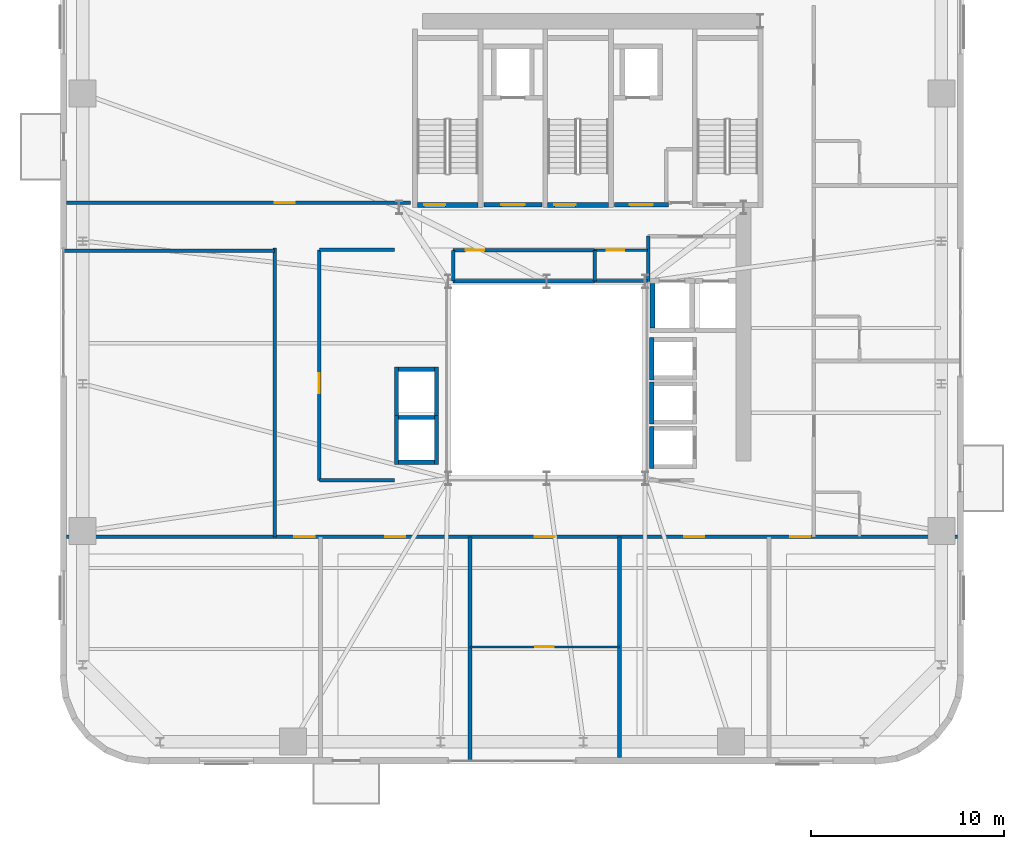
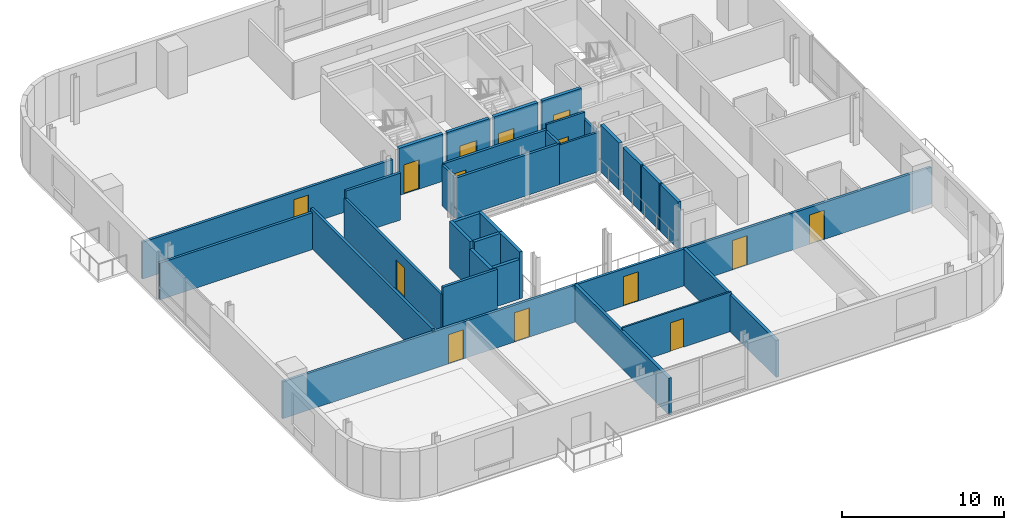
# One storey, part 8 of 16: 32 walls, 14 doors, 14 openings.
"""IFC4 building model written with IfcOpenShell, lengths in metres."""

from ifc_helpers import new_model, si_unit, direction, frame, frame_2d, origin, place, context, subcontext, project, spatial, rectangle, extrude, source, transform, mapped, material, layer, layer_set, type_object, element, fill, save


model = new_model("IFC4")

# Units and contexts
model_context = context("Model", 3, precision=1e-05, world=origin(), true_north=direction((0.0, 1.0)))
body_context = subcontext(model_context, "Body", "Model", "MODEL_VIEW")
ifc_project = project(units=[si_unit("LENGTHUNIT", "METRE"), si_unit("AREAUNIT", "SQUARE_METRE"), si_unit("VOLUMEUNIT", "CUBIC_METRE"), si_unit("PLANEANGLEUNIT", "RADIAN"), si_unit("MASSUNIT", "GRAM", prefix="KILO")], contexts=[model_context])

# Site, building, storey
site_placement = place(None, origin())
site = spatial("IfcSite", under=ifc_project, at=site_placement, CompositionType="ELEMENT")
building_placement = place(site_placement, origin())
building = spatial("IfcBuilding", under=site, at=building_placement, Name="Vardaveli Station Tower", CompositionType="ELEMENT")
storey_placement = place(building_placement, frame((0.0, 0.0, 188.550048828125)))
storey = spatial("IfcBuildingStorey", under=building, at=storey_placement, Name="L48", CompositionType="ELEMENT", Elevation=188.550048828125)

# Wall, opening, door
ifc_material_1 = material(Name="Concrete C40/50", Category="concrete")
ifc_layer_1 = layer(ifc_material_1, 0.25, Name="Concrete C40/50")
ifc_layer_set_1 = layer_set([ifc_layer_1], Name="Concrete C40/50")
wall_type_1 = type_object("IfcWallType", Name="WAL-SHAFT-250", PredefinedType="SOLIDWALL", material=ifc_layer_set_1)
shared_shape_1 = source(origin(), body_context, "Body", "SweptSolid", [
    extrude(rectangle(XDim=3.14990234375, YDim=0.25, at=frame_2d((1.574951171875, 0.0))), origin(), (0.0, 0.0, 1.0), 3.550048828125),
])
wall_1_placement = place(storey_placement, frame((29.60009765625, 30.77490234375, 0.0), z_axis=(0.0, 0.0, 1.0), x_axis=(1.0, 0.0, 0.0)))
wall_1 = element("IfcWall", 1, at=wall_1_placement, inside=storey, type_object=wall_type_1, Name="W-L48-ST-1S", PredefinedType="SOLIDWALL", context=body_context, shape_type="MappedRepresentation", body=[
    mapped(shared_shape_1, transform((0.0, 0.0, 0.0), scale=1.0)),
])
shared_shape_2 = source(origin(), body_context, "Body", "SweptSolid", [
    extrude(rectangle(XDim=1.10009765625, YDim=2.199951171875, at=frame_2d((0.550048828125, 1.10009765625))), frame((0.0, 0.135009765625, 0.0), z_axis=(0.0, -1.0, 0.0), x_axis=(1.0, 0.0, 0.0)), (0.0, 0.0, 1.0), 0.27001953125),
])
opening_1_placement = place(wall_1_placement, frame((0.35009765625, 0.0, 0.0)))
opening_1 = element("IfcOpeningElement", 2, at=opening_1_placement, cuts=wall_1, Name="Opening D-04", PredefinedType="OPENING", context=body_context, shape_type="MappedRepresentation", body=[
    mapped(shared_shape_2, transform((0.0, 0.0, 0.0), scale=1.0)),
])
ifc_material_2 = material(Name="Steel smokeproof fire doorset", Category="steel")
door_type_1 = type_object("IfcDoorType", Name="DR-ST-1100x2200", OperationType="NOTDEFINED", PredefinedType="DOOR", material=ifc_material_2)
shared_shape_3 = source(origin(), body_context, "Body", "SweptSolid", [
    extrude(rectangle(XDim=1.10009765625, YDim=2.199951171875, at=frame_2d((0.550048828125, 1.10009765625))), frame((0.0, 0.02490234375, 0.0), z_axis=(0.0, -1.0, 0.0), x_axis=(1.0, 0.0, 0.0)), (0.0, 0.0, 1.0), 0.050048828125),
])
door_1_placement = place(opening_1_placement, origin())
door_1 = element("IfcDoor", 3, at=door_1_placement, inside=storey, type_object=door_type_1, Name="DST-1-L48", OperationType="SINGLE_SWING_LEFT", OverallHeight=2.199951171875, OverallWidth=1.10009765625, PredefinedType="DOOR", context=body_context, shape_type="MappedRepresentation", body=[
    mapped(shared_shape_3, transform((0.0, 0.0, 0.0), scale=1.0)),
])
fill(opening_1, door_1)

wall_2_placement = place(storey_placement, frame((36.35009765625, 30.77490234375, 0.0), z_axis=(0.0, 0.0, 1.0), x_axis=(1.0, 0.0, 0.0)))
wall_2 = element("IfcWall", 4, at=wall_2_placement, inside=storey, type_object=wall_type_1, Name="W-L48-ST-2S", PredefinedType="SOLIDWALL", context=body_context, shape_type="MappedRepresentation", body=[
    mapped(shared_shape_1, transform((0.0, 0.0, 0.0), scale=1.0)),
])
opening_2_placement = place(wall_2_placement, frame((0.35009765625, 0.0, 0.0)))
opening_2 = element("IfcOpeningElement", 5, at=opening_2_placement, cuts=wall_2, Name="Opening D-04", PredefinedType="OPENING", context=body_context, shape_type="MappedRepresentation", body=[
    mapped(shared_shape_2, transform((0.0, 0.0, 0.0), scale=1.0)),
])
door_2_placement = place(opening_2_placement, origin())
door_2 = element("IfcDoor", 6, at=door_2_placement, inside=storey, type_object=door_type_1, Name="DST-2-L48", OperationType="SINGLE_SWING_LEFT", OverallHeight=2.199951171875, OverallWidth=1.10009765625, PredefinedType="DOOR", context=body_context, shape_type="MappedRepresentation", body=[
    mapped(shared_shape_3, transform((0.0, 0.0, 0.0), scale=1.0)),
])
fill(opening_2, door_2)

ifc_layer_2 = layer(ifc_material_1, 0.219970703125, Name="Concrete C40/50")
ifc_layer_set_2 = layer_set([ifc_layer_2], Name="Concrete C40/50")
wall_type_2 = type_object("IfcWallType", Name="WAL-FFLOBBY-220", PredefinedType="SOLIDWALL", material=ifc_layer_set_2)
shared_shape_4 = source(origin(), body_context, "Body", "SweptSolid", [
    extrude(rectangle(XDim=3.0, YDim=0.219970703125, at=frame_2d((1.5, 0.0))), origin(), (0.0, 0.0, 1.0), 3.530029296875),
])
wall_3_placement = place(storey_placement, frame((33.050048828125, 30.780029296875, 0.0), z_axis=(0.0, 0.0, 1.0), x_axis=(1.0, 0.0, 0.0)))
wall_3 = element("IfcWall", 7, at=wall_3_placement, inside=storey, type_object=wall_type_2, Name="W-L48-FFL1S", PredefinedType="SOLIDWALL", context=body_context, shape_type="MappedRepresentation", body=[
    mapped(shared_shape_4, transform((0.0, 0.0, 0.0), scale=1.0)),
])
shared_shape_5 = source(origin(), body_context, "Body", "SweptSolid", [
    extrude(rectangle(XDim=1.199951171875, YDim=2.199951171875, at=frame_2d((0.60009765625, 1.10009765625))), frame((0.0, 0.1201171875, 0.0), z_axis=(0.0, -1.0, 0.0), x_axis=(1.0, 0.0, 0.0)), (0.0, 0.0, 1.0), 0.239990234375),
])
opening_3_placement = place(wall_3_placement, frame((0.89990234375, 0.0, 0.0)))
opening_3 = element("IfcOpeningElement", 8, at=opening_3_placement, cuts=wall_3, Name="Opening D-03", PredefinedType="OPENING", context=body_context, shape_type="MappedRepresentation", body=[
    mapped(shared_shape_5, transform((0.0, 0.0, 0.0), scale=1.0)),
])
door_type_2 = type_object("IfcDoorType", Name="DR-FFL-1200x2200", OperationType="NOTDEFINED", PredefinedType="DOOR", material=ifc_material_2)
shared_shape_6 = source(origin(), body_context, "Body", "SweptSolid", [
    extrude(rectangle(XDim=1.199951171875, YDim=2.199951171875, at=frame_2d((0.60009765625, 1.10009765625))), frame((0.0, 0.02490234375, 0.0), z_axis=(0.0, -1.0, 0.0), x_axis=(1.0, 0.0, 0.0)), (0.0, 0.0, 1.0), 0.050048828125),
])
door_3_placement = place(opening_3_placement, origin())
door_3 = element("IfcDoor", 9, at=door_3_placement, inside=storey, type_object=door_type_2, Name="DFFL1-L48", OperationType="SINGLE_SWING_LEFT", OverallHeight=2.199951171875, OverallWidth=1.199951171875, PredefinedType="DOOR", context=body_context, shape_type="MappedRepresentation", body=[
    mapped(shared_shape_6, transform((0.0, 0.0, 0.0), scale=1.0)),
])
fill(opening_3, door_3)

shared_shape_7 = source(origin(), body_context, "Body", "SweptSolid", [
    extrude(rectangle(XDim=2.800048828125, YDim=0.219970703125, at=frame_2d((1.39990234375, 0.0))), origin(), (0.0, 0.0, 1.0), 3.530029296875),
])
wall_4_placement = place(storey_placement, frame((39.800048828125, 30.780029296875, 0.0), z_axis=(0.0, 0.0, 1.0), x_axis=(1.0, 0.0, 0.0)))
wall_4 = element("IfcWall", 10, at=wall_4_placement, inside=storey, type_object=wall_type_2, Name="W-L48-FFL2S", PredefinedType="SOLIDWALL", context=body_context, shape_type="MappedRepresentation", body=[
    mapped(shared_shape_7, transform((0.0, 0.0, 0.0), scale=1.0)),
])
opening_4_placement = place(wall_4_placement, frame((0.800048828125, 0.0, 0.0)))
opening_4 = element("IfcOpeningElement", 11, at=opening_4_placement, cuts=wall_4, Name="Opening D-03", PredefinedType="OPENING", context=body_context, shape_type="MappedRepresentation", body=[
    mapped(shared_shape_5, transform((0.0, 0.0, 0.0), scale=1.0)),
])
door_4_placement = place(opening_4_placement, origin())
door_4 = element("IfcDoor", 12, at=door_4_placement, inside=storey, type_object=door_type_2, Name="DFFL2-L48", OperationType="SINGLE_SWING_RIGHT", OverallHeight=2.199951171875, OverallWidth=1.199951171875, PredefinedType="DOOR", context=body_context, shape_type="MappedRepresentation", body=[
    mapped(shared_shape_6, transform((0.0, 0.0, 0.0), scale=1.0)),
])
fill(opening_4, door_4)

# Walls
shared_shape_8 = source(origin(), body_context, "Body", "SweptSolid", [
    extrude(rectangle(XDim=2.18994140625, YDim=0.219970703125, at=frame_2d((1.094970703125, 0.0))), origin(), (0.0, 0.0, 1.0), 3.530029296875),
])
for number, where, z_axis, x_axis, name in (
    (13, (41.739990234375, 21.705078125, 0.0), (0.0, 0.0, 1.0), (0.0, 1.0, 0.0), "SHW-HL3-01-L48-W"),
    (14, (41.739990234375, 19.405029296875, 0.0), (0.0, 0.0, 1.0), (0.0, 1.0, 0.0), "SHW-HL3-02-L48-W"),
    (15, (41.739990234375, 17.10498046875, 0.0), (0.0, 0.0, 1.0), (0.0, 1.0, 0.0), "SHW-HL3-03-L48-W"),
):
    element("IfcWall", number, at=place(storey_placement, frame(where, z_axis=z_axis, x_axis=x_axis)), inside=storey, type_object=wall_type_2, Name=name, PredefinedType="SOLIDWALL", context=body_context, shape_type="MappedRepresentation", body=[
        mapped(shared_shape_8, transform((0.0, 0.0, 0.0), scale=1.0)),
    ])
shared_shape_9 = source(origin(), body_context, "Body", "SweptSolid", [
    extrude(rectangle(XDim=1.85009765625, YDim=0.219970703125, at=frame_2d((0.925048828125, 0.0))), origin(), (0.0, 0.0, 1.0), 2.971923828125),
])
wall_5_placement = place(storey_placement, frame((28.625, 17.43994140625, 0.0), z_axis=(0.0, 0.0, 1.0), x_axis=(1.0, 0.0, 0.0)))
element("IfcWall", 16, at=wall_5_placement, inside=storey, type_object=wall_type_2, Name="SHW-OBS-01-L48-S", PredefinedType="SOLIDWALL", context=body_context, shape_type="MappedRepresentation", body=[
    mapped(shared_shape_9, transform((0.0, 0.0, 0.0), scale=1.0)),
])
shared_shape_10 = source(origin(), body_context, "Body", "SweptSolid", [
    extrude(rectangle(XDim=1.85009765625, YDim=0.219970703125, at=frame_2d((0.925048828125, 0.0))), origin(), (0.0, 0.0, 1.0), 3.530029296875),
])
for number, where, z_axis, x_axis, name in (
    (17, (28.625, 19.760009765625, 0.0), (0.0, 0.0, 1.0), (1.0, 0.0, 0.0), "SHW-OBS-01-L48-N"),
    (18, (28.625, 22.260009765625, 0.0), (0.0, 0.0, 1.0), (1.0, 0.0, 0.0), "SHW-OBS-02-L48-N"),
):
    element("IfcWall", number, at=place(storey_placement, frame(where, z_axis=z_axis, x_axis=x_axis)), inside=storey, type_object=wall_type_2, Name=name, PredefinedType="SOLIDWALL", context=body_context, shape_type="MappedRepresentation", body=[
        mapped(shared_shape_10, transform((0.0, 0.0, 0.0), scale=1.0)),
    ])
shared_shape_11 = source(origin(), body_context, "Body", "SweptSolid", [
    extrude(rectangle(XDim=2.5400390625, YDim=0.219970703125, at=frame_2d((1.27001953125, 0.0))), origin(), (0.0, 0.0, 1.0), 2.971923828125),
])
wall_6_placement = place(storey_placement, frame((28.514892578125, 17.330078125, 0.0), z_axis=(0.0, 0.0, 1.0), x_axis=(0.0, 1.0, 0.0)))
element("IfcWall", 19, at=wall_6_placement, inside=storey, type_object=wall_type_2, Name="SHW-OBS-01-L48-W", PredefinedType="SOLIDWALL", context=body_context, shape_type="MappedRepresentation", body=[
    mapped(shared_shape_11, transform((0.0, 0.0, 0.0), scale=1.0)),
])
shared_shape_12 = source(origin(), body_context, "Body", "SweptSolid", [
    extrude(rectangle(XDim=2.5400390625, YDim=0.219970703125, at=frame_2d((1.27001953125, 0.0))), origin(), (0.0, 0.0, 1.0), 3.530029296875),
])
for number, where, z_axis, x_axis, name in (
    (20, (30.5849609375, 17.330078125, 0.0), (0.0, 0.0, 1.0), (0.0, 1.0, 0.0), "SHW-OBS-01-L48-E"),
    (21, (28.514892578125, 19.830078125, 0.0), (0.0, 0.0, 1.0), (0.0, 1.0, 0.0), "SHW-OBS-02-L48-W"),
    (22, (30.5849609375, 19.830078125, 0.0), (0.0, 0.0, 1.0), (0.0, 1.0, 0.0), "SHW-OBS-02-L48-E"),
):
    element("IfcWall", number, at=place(storey_placement, frame(where, z_axis=z_axis, x_axis=x_axis)), inside=storey, type_object=wall_type_2, Name=name, PredefinedType="SOLIDWALL", context=body_context, shape_type="MappedRepresentation", body=[
        mapped(shared_shape_12, transform((0.0, 0.0, 0.0), scale=1.0)),
    ])
shared_shape_13 = source(origin(), body_context, "Body", "SweptSolid", [
    extrude(rectangle(XDim=2.300048828125, YDim=0.25, at=frame_2d((1.14990234375, 0.0))), origin(), (0.0, 0.0, 1.0), 3.530029296875),
])
wall_7_placement = place(storey_placement, frame((41.77490234375, 24.39990234375, 0.0), z_axis=(0.0, 0.0, 1.0), x_axis=(0.0, 1.0, 0.0)))
element("IfcWall", 23, at=wall_7_placement, inside=storey, type_object=wall_type_1, Name="SHW-SRV-01-L48-W", PredefinedType="SOLIDWALL", context=body_context, shape_type="MappedRepresentation", body=[
    mapped(shared_shape_13, transform((0.0, 0.0, 0.0), scale=1.0)),
])

# Wall, openings, doors
ifc_material_3 = material(Name="Fire-rated gypsum stud partition")
ifc_layer_3 = layer(ifc_material_3, 0.179931640625, Name="Fire-rated gypsum stud partition")
ifc_layer_set_3 = layer_set([ifc_layer_3], Name="Fire-rated gypsum stud partition")
wall_type_3 = type_object("IfcWallType", Name="WAL-CORR-180", PredefinedType="PARTITIONING", material=ifc_layer_set_3)
shared_shape_14 = source(origin(), body_context, "Body", "SweptSolid", [
    extrude(rectangle(XDim=46.15576171875, YDim=0.179931640625, at=frame_2d((23.077880859375, 0.0))), origin(), (0.0, 0.0, 1.0), 2.77197265625),
])
wall_8_placement = place(storey_placement, frame((11.422119140625, 13.570068359375, 0.0), z_axis=(0.0, 0.0, 1.0), x_axis=(1.0, 0.0, 0.0)))
wall_8 = element("IfcWall", 24, at=wall_8_placement, inside=storey, type_object=wall_type_3, Name="W-L48-CS", PredefinedType="PARTITIONING", context=body_context, shape_type="MappedRepresentation", body=[
    mapped(shared_shape_14, transform((0.0, 0.0, 0.0), scale=1.0)),
])
shared_shape_15 = source(origin(), body_context, "Body", "SweptSolid", [
    extrude(rectangle(XDim=1.050048828125, YDim=2.199951171875, at=frame_2d((0.52490234375, 1.10009765625))), frame((0.0, 0.10009765625, 0.0), z_axis=(0.0, -1.0, 0.0), x_axis=(1.0, 0.0, 0.0)), (0.0, 0.0, 1.0), 0.199951171875),
])
opening_5_placement = place(wall_8_placement, frame((11.798095703125, 0.0, 0.0)))
opening_5 = element("IfcOpeningElement", 25, at=opening_5_placement, cuts=wall_8, Name="Opening D-05", PredefinedType="OPENING", context=body_context, shape_type="MappedRepresentation", body=[
    mapped(shared_shape_15, transform((0.0, 0.0, 0.0), scale=1.0)),
])
opening_6_placement = place(wall_8_placement, frame((16.5029296875, 0.0, 0.0)))
opening_6 = element("IfcOpeningElement", 26, at=opening_6_placement, cuts=wall_8, Name="Opening D-05", PredefinedType="OPENING", context=body_context, shape_type="MappedRepresentation", body=[
    mapped(shared_shape_15, transform((0.0, 0.0, 0.0), scale=1.0)),
])
opening_7_placement = place(wall_8_placement, frame((24.2529296875, 0.0, 0.0)))
opening_7 = element("IfcOpeningElement", 27, at=opening_7_placement, cuts=wall_8, Name="Opening D-05", PredefinedType="OPENING", context=body_context, shape_type="MappedRepresentation", body=[
    mapped(shared_shape_15, transform((0.0, 0.0, 0.0), scale=1.0)),
])
opening_8_placement = place(wall_8_placement, frame((32.0029296875, 0.0, 0.0)))
opening_8 = element("IfcOpeningElement", 28, at=opening_8_placement, cuts=wall_8, Name="Opening D-05", PredefinedType="OPENING", context=body_context, shape_type="MappedRepresentation", body=[
    mapped(shared_shape_15, transform((0.0, 0.0, 0.0), scale=1.0)),
])
opening_9_placement = place(wall_8_placement, frame((37.498046875, 0.0, 0.0)))
opening_9 = element("IfcOpeningElement", 29, at=opening_9_placement, cuts=wall_8, Name="Opening D-05", PredefinedType="OPENING", context=body_context, shape_type="MappedRepresentation", body=[
    mapped(shared_shape_15, transform((0.0, 0.0, 0.0), scale=1.0)),
])
ifc_material_4 = material(Name="Walnut veneer acoustic fire door")
door_type_3 = type_object("IfcDoorType", Name="DR-SUITE-1050x2200", OperationType="NOTDEFINED", PredefinedType="DOOR", material=ifc_material_4)
shared_shape_16 = source(origin(), body_context, "Body", "SweptSolid", [
    extrude(rectangle(XDim=1.050048828125, YDim=2.199951171875, at=frame_2d((0.52490234375, 1.10009765625))), frame((0.0, 0.02490234375, 0.0), z_axis=(0.0, -1.0, 0.0), x_axis=(1.0, 0.0, 0.0)), (0.0, 0.0, 1.0), 0.050048828125),
])
door_5_placement = place(opening_5_placement, origin())
door_5 = element("IfcDoor", 30, at=door_5_placement, inside=storey, type_object=door_type_3, Name="D-L48-SA1", OperationType="SINGLE_SWING_RIGHT", OverallHeight=2.199951171875, OverallWidth=1.050048828125, PredefinedType="DOOR", context=body_context, shape_type="MappedRepresentation", body=[
    mapped(shared_shape_16, transform((0.0, 0.0, 0.0), scale=1.0)),
])
fill(opening_5, door_5)
door_6_placement = place(opening_6_placement, origin())
door_6 = element("IfcDoor", 31, at=door_6_placement, inside=storey, type_object=door_type_3, Name="D-L48-SA2", OperationType="SINGLE_SWING_LEFT", OverallHeight=2.199951171875, OverallWidth=1.050048828125, PredefinedType="DOOR", context=body_context, shape_type="MappedRepresentation", body=[
    mapped(shared_shape_16, transform((0.0, 0.0, 0.0), scale=1.0)),
])
fill(opening_6, door_6)
door_7_placement = place(opening_7_placement, origin())
door_7 = element("IfcDoor", 32, at=door_7_placement, inside=storey, type_object=door_type_3, Name="D-L48-SCB3", OperationType="SINGLE_SWING_RIGHT", OverallHeight=2.199951171875, OverallWidth=1.050048828125, PredefinedType="DOOR", context=body_context, shape_type="MappedRepresentation", body=[
    mapped(shared_shape_16, transform((0.0, 0.0, 0.0), scale=1.0)),
])
fill(opening_7, door_7)
door_8_placement = place(opening_8_placement, origin())
door_8 = element("IfcDoor", 33, at=door_8_placement, inside=storey, type_object=door_type_3, Name="D-L48-SA4", OperationType="SINGLE_SWING_LEFT", OverallHeight=2.199951171875, OverallWidth=1.050048828125, PredefinedType="DOOR", context=body_context, shape_type="MappedRepresentation", body=[
    mapped(shared_shape_16, transform((0.0, 0.0, 0.0), scale=1.0)),
])
fill(opening_8, door_8)
door_9_placement = place(opening_9_placement, origin())
door_9 = element("IfcDoor", 34, at=door_9_placement, inside=storey, type_object=door_type_3, Name="D-L48-SA5", OperationType="SINGLE_SWING_RIGHT", OverallHeight=2.199951171875, OverallWidth=1.050048828125, PredefinedType="DOOR", context=body_context, shape_type="MappedRepresentation", body=[
    mapped(shared_shape_16, transform((0.0, 0.0, 0.0), scale=1.0)),
])
fill(opening_9, door_9)

# Wall, opening, door
shared_shape_17 = source(origin(), body_context, "Body", "SweptSolid", [
    extrude(rectangle(XDim=17.827880859375, YDim=0.179931640625, at=frame_2d((8.9140625, 0.0))), origin(), (0.0, 0.0, 1.0), 2.77197265625),
])
wall_9_placement = place(storey_placement, frame((11.422119140625, 30.8798828125, 0.0), z_axis=(0.0, 0.0, 1.0), x_axis=(1.0, 0.0, 0.0)))
wall_9 = element("IfcWall", 35, at=wall_9_placement, inside=storey, type_object=wall_type_3, Name="W-L48-CNWS", PredefinedType="PARTITIONING", context=body_context, shape_type="MappedRepresentation", body=[
    mapped(shared_shape_17, transform((0.0, 0.0, 0.0), scale=1.0)),
])
opening_10_placement = place(wall_9_placement, frame((10.778076171875, 0.0, 0.0)))
opening_10 = element("IfcOpeningElement", 36, at=opening_10_placement, cuts=wall_9, Name="Opening D-05", PredefinedType="OPENING", context=body_context, shape_type="MappedRepresentation", body=[
    mapped(shared_shape_15, transform((0.0, 0.0, 0.0), scale=1.0)),
])
door_10_placement = place(opening_10_placement, origin())
door_10 = element("IfcDoor", 37, at=door_10_placement, inside=storey, type_object=door_type_3, Name="D-L48-GNW1", OperationType="SINGLE_SWING_LEFT", OverallHeight=2.199951171875, OverallWidth=1.050048828125, PredefinedType="DOOR", context=body_context, shape_type="MappedRepresentation", body=[
    mapped(shared_shape_16, transform((0.0, 0.0, 0.0), scale=1.0)),
])
fill(opening_10, door_10)

# Walls
shared_shape_18 = source(origin(), body_context, "Body", "SweptSolid", [
    extrude(rectangle(XDim=2.349853515625, YDim=0.179931640625, at=frame_2d((1.1748046875, 0.0))), origin(), (0.0, 0.0, 1.0), 2.971923828125),
])
wall_10_placement = place(storey_placement, frame((41.550048828125, 26.800048828125, 0.0), z_axis=(0.0, 0.0, 1.0), x_axis=(0.0, 1.0, 0.0)))
element("IfcWall", 38, at=wall_10_placement, inside=storey, type_object=wall_type_3, Name="W-L48-SVFW", PredefinedType="PARTITIONING", context=body_context, shape_type="MappedRepresentation", body=[
    mapped(shared_shape_18, transform((0.0, 0.0, 0.0), scale=1.0)),
])
shared_shape_19 = source(origin(), body_context, "Body", "SweptSolid", [
    extrude(rectangle(XDim=1.599853515625, YDim=0.179931640625, at=frame_2d((0.7998046875, 0.0))), origin(), (0.0, 0.0, 1.0), 3.072021484375),
])
for number, where, z_axis, x_axis, name in (
    (39, (31.449951171875, 26.820068359375, 0.0), (0.0, 0.0, 1.0), (0.0, 1.0, 0.0), "W-L48-HKP0-W"),
    (40, (38.780029296875, 26.820068359375, 0.0), (0.0, 0.0, 1.0), (0.0, 1.0, 0.0), "W-L48-HKP0-E"),
):
    element("IfcWall", number, at=place(storey_placement, frame(where, z_axis=z_axis, x_axis=x_axis)), inside=storey, type_object=wall_type_3, Name=name, PredefinedType="PARTITIONING", context=body_context, shape_type="MappedRepresentation", body=[
        mapped(shared_shape_19, transform((0.0, 0.0, 0.0), scale=1.0)),
    ])

# Wall, opening, door
shared_shape_20 = source(origin(), body_context, "Body", "SweptSolid", [
    extrude(rectangle(XDim=11.93994140625, YDim=0.179931640625, at=frame_2d((5.969970703125, 0.0))), origin(), (0.0, 0.0, 1.0), 2.971923828125),
])
wall_11_placement = place(storey_placement, frame((24.52001953125, 16.5, 0.0), z_axis=(0.0, 0.0, 1.0), x_axis=(0.0, 1.0, 0.0)))
wall_11 = element("IfcWall", 41, at=wall_11_placement, inside=storey, type_object=wall_type_3, Name="W-L48-ATW-W", PredefinedType="PARTITIONING", context=body_context, shape_type="MappedRepresentation", body=[
    mapped(shared_shape_20, transform((0.0, 0.0, 0.0), scale=1.0)),
])
opening_11_placement = place(wall_11_placement, frame((4.5, 0.0, 0.0)))
opening_11 = element("IfcOpeningElement", 42, at=opening_11_placement, cuts=wall_11, Name="Opening D-05", PredefinedType="OPENING", context=body_context, shape_type="MappedRepresentation", body=[
    mapped(shared_shape_15, transform((0.0, 0.0, 0.0), scale=1.0)),
])
door_11_placement = place(opening_11_placement, origin())
door_11 = element("IfcDoor", 43, at=door_11_placement, inside=storey, type_object=door_type_3, Name="D-L48-ATW1", OperationType="SINGLE_SWING_RIGHT", OverallHeight=2.199951171875, OverallWidth=1.050048828125, PredefinedType="DOOR", context=body_context, shape_type="MappedRepresentation", body=[
    mapped(shared_shape_16, transform((0.0, 0.0, 0.0), scale=1.0)),
])
fill(opening_11, door_11)

ifc_material_5 = material(Name="Gypsum board stud partition")
ifc_layer_4 = layer(ifc_material_5, 0.125, Name="Gypsum board stud partition")
ifc_layer_set_4 = layer_set([ifc_layer_4], Name="Gypsum board stud partition")
wall_type_4 = type_object("IfcWallType", Name="WAL-INT-125", PredefinedType="PARTITIONING", material=ifc_layer_set_4)
shared_shape_21 = source(origin(), body_context, "Body", "SweptSolid", [
    extrude(rectangle(XDim=7.75, YDim=0.125, at=frame_2d((3.875, 0.0))), origin(), (0.0, 0.0, 1.0), 2.971923828125),
])
wall_12_placement = place(storey_placement, frame((32.320068359375, 7.860107421875, 0.0), z_axis=(0.0, 0.0, 1.0), x_axis=(1.0, 0.0, 0.0)))
wall_12 = element("IfcWall", 44, at=wall_12_placement, inside=storey, type_object=wall_type_4, Name="W-L48-SCM3", PredefinedType="PARTITIONING", context=body_context, shape_type="MappedRepresentation", body=[
    mapped(shared_shape_21, transform((0.0, 0.0, 0.0), scale=1.0)),
])
shared_shape_22 = source(origin(), body_context, "Body", "SweptSolid", [
    extrude(rectangle(XDim=0.949951171875, YDim=2.14990234375, at=frame_2d((0.47509765625, 1.074951171875))), frame((0.0, 0.072509765625, 0.0), z_axis=(0.0, -1.0, 0.0), x_axis=(1.0, 0.0, 0.0)), (0.0, 0.0, 1.0), 0.14501953125),
])
opening_12_placement = place(wall_12_placement, frame((3.39501953125, 0.0, 0.0)))
opening_12 = element("IfcOpeningElement", 45, at=opening_12_placement, cuts=wall_12, Name="Opening D-11", PredefinedType="OPENING", context=body_context, shape_type="MappedRepresentation", body=[
    mapped(shared_shape_22, transform((0.0, 0.0, 0.0), scale=1.0)),
])
ifc_material_6 = material(Name="Oak veneer internal suite door")
door_type_4 = type_object("IfcDoorType", Name="DR-INT-950x2150", OperationType="NOTDEFINED", PredefinedType="DOOR", material=ifc_material_6)
shared_shape_23 = source(origin(), body_context, "Body", "SweptSolid", [
    extrude(rectangle(XDim=0.949951171875, YDim=2.14990234375, at=frame_2d((0.47509765625, 1.074951171875))), frame((0.0, 0.02490234375, 0.0), z_axis=(0.0, -1.0, 0.0), x_axis=(1.0, 0.0, 0.0)), (0.0, 0.0, 1.0), 0.050048828125),
])
door_12_placement = place(opening_12_placement, origin())
door_12 = element("IfcDoor", 46, at=door_12_placement, inside=storey, type_object=door_type_4, Name="D-L48-SCF3", OperationType="SINGLE_SWING_LEFT", OverallHeight=2.14990234375, OverallWidth=0.949951171875, PredefinedType="DOOR", context=body_context, shape_type="MappedRepresentation", body=[
    mapped(shared_shape_23, transform((0.0, 0.0, 0.0), scale=1.0)),
])
fill(opening_12, door_12)

shared_shape_24 = source(origin(), body_context, "Body", "SweptSolid", [
    extrude(rectangle(XDim=7.330078125, YDim=0.179931640625, at=frame_2d((3.6650390625, 0.0))), origin(), (0.0, 0.0, 1.0), 3.161865234375),
])
wall_13_placement = place(storey_placement, frame((31.449951171875, 28.419921875, 0.0), z_axis=(0.0, 0.0, 1.0), x_axis=(1.0, 0.0, 0.0)))
wall_13 = element("IfcWall", 47, at=wall_13_placement, inside=storey, type_object=wall_type_3, Name="W-L48-HKP0-N", PredefinedType="PARTITIONING", context=body_context, shape_type="MappedRepresentation", body=[
    mapped(shared_shape_24, transform((0.0, 0.0, 0.0), scale=1.0)),
])
shared_shape_25 = source(origin(), body_context, "Body", "SweptSolid", [
    extrude(rectangle(XDim=0.949951171875, YDim=2.14990234375, at=frame_2d((0.47509765625, 1.074951171875))), frame((0.0, 0.10009765625, 0.0), z_axis=(0.0, -1.0, 0.0), x_axis=(1.0, 0.0, 0.0)), (0.0, 0.0, 1.0), 0.199951171875),
])
opening_13_placement = place(wall_13_placement, frame((0.64990234375, 0.0, 0.0)))
opening_13 = element("IfcOpeningElement", 48, at=opening_13_placement, cuts=wall_13, Name="Opening D-06", PredefinedType="OPENING", context=body_context, shape_type="MappedRepresentation", body=[
    mapped(shared_shape_25, transform((0.0, 0.0, 0.0), scale=1.0)),
])
ifc_material_7 = material(Name="Oak veneer acoustic fire door")
door_type_5 = type_object("IfcDoorType", Name="DR-GUEST-950x2150", OperationType="NOTDEFINED", PredefinedType="DOOR", material=ifc_material_7)
door_13_placement = place(opening_13_placement, origin())
door_13 = element("IfcDoor", 49, at=door_13_placement, inside=storey, type_object=door_type_5, Name="D-L48-HKP", OperationType="SINGLE_SWING_RIGHT", OverallHeight=2.14990234375, OverallWidth=0.949951171875, PredefinedType="DOOR", context=body_context, shape_type="MappedRepresentation", body=[
    mapped(shared_shape_23, transform((0.0, 0.0, 0.0), scale=1.0)),
])
fill(opening_13, door_13)

ifc_material_8 = material(Name="Moisture-resistant stud partition")
ifc_layer_5 = layer(ifc_material_8, 0.14990234375, Name="Moisture-resistant stud partition")
ifc_layer_set_5 = layer_set([ifc_layer_5], Name="Moisture-resistant stud partition")
wall_type_5 = type_object("IfcWallType", Name="WAL-WET-150", PredefinedType="PARTITIONING", material=ifc_layer_set_5)
shared_shape_26 = source(origin(), body_context, "Body", "SweptSolid", [
    extrude(rectangle(XDim=2.739990234375, YDim=0.14990234375, at=frame_2d((1.3701171875, 0.0))), origin(), (0.0, 0.0, 1.0), 3.530029296875),
])
wall_14_placement = place(storey_placement, frame((38.780029296875, 28.419921875, 0.0), z_axis=(0.0, 0.0, 1.0), x_axis=(1.0, 0.0, 0.0)))
wall_14 = element("IfcWall", 50, at=wall_14_placement, inside=storey, type_object=wall_type_5, Name="W-L48-WCA0-N", PredefinedType="PARTITIONING", context=body_context, shape_type="MappedRepresentation", body=[
    mapped(shared_shape_26, transform((0.0, 0.0, 0.0), scale=1.0)),
])
shared_shape_27 = source(origin(), body_context, "Body", "SweptSolid", [
    extrude(rectangle(XDim=0.919921875, YDim=2.10009765625, at=frame_2d((0.4599609375, 1.050048828125))), frame((0.0, 0.0849609375, 0.0), z_axis=(0.0, -1.0, 0.0), x_axis=(1.0, 0.0, 0.0)), (0.0, 0.0, 1.0), 0.169921875),
])
opening_14_placement = place(wall_14_placement, frame((0.6298828125, 0.0, 0.0)))
opening_14 = element("IfcOpeningElement", 51, at=opening_14_placement, cuts=wall_14, Name="Opening D-07", PredefinedType="OPENING", context=body_context, shape_type="MappedRepresentation", body=[
    mapped(shared_shape_27, transform((0.0, 0.0, 0.0), scale=1.0)),
])
ifc_material_9 = material(Name="Moisture-resistant hardwood door", Category="wood")
door_type_6 = type_object("IfcDoorType", Name="DR-WC-920x2100", OperationType="NOTDEFINED", PredefinedType="DOOR", material=ifc_material_9)
shared_shape_28 = source(origin(), body_context, "Body", "SweptSolid", [
    extrude(rectangle(XDim=0.919921875, YDim=2.10009765625, at=frame_2d((0.4599609375, 1.050048828125))), frame((0.0, 0.02490234375, 0.0), z_axis=(0.0, -1.0, 0.0), x_axis=(1.0, 0.0, 0.0)), (0.0, 0.0, 1.0), 0.050048828125),
])
door_14_placement = place(opening_14_placement, origin())
door_14 = element("IfcDoor", 52, at=door_14_placement, inside=storey, type_object=door_type_6, Name="D-L48-WCA", OperationType="SINGLE_SWING_RIGHT", OverallHeight=2.10009765625, OverallWidth=0.919921875, PredefinedType="DOOR", context=body_context, shape_type="MappedRepresentation", body=[
    mapped(shared_shape_28, transform((0.0, 0.0, 0.0), scale=1.0)),
])
fill(opening_14, door_14)

# Walls
shared_shape_29 = source(origin(), body_context, "Body", "SweptSolid", [
    extrude(rectangle(XDim=14.97998046875, YDim=0.179931640625, at=frame_2d((7.489990234375, 0.0))), origin(), (0.0, 0.0, 1.0), 2.971923828125),
])
wall_15_placement = place(storey_placement, frame((22.199951171875, 13.570068359375, 0.0), z_axis=(0.0, 0.0, 1.0), x_axis=(0.0, 1.0, 0.0)))
element("IfcWall", 53, at=wall_15_placement, inside=storey, type_object=wall_type_3, Name="W-L48-CW", PredefinedType="PARTITIONING", context=body_context, shape_type="MappedRepresentation", body=[
    mapped(shared_shape_29, transform((0.0, 0.0, 0.0), scale=1.0)),
])
ifc_material_10 = material(Name="Acoustic twin-stud gypsum partition")
ifc_layer_6 = layer(ifc_material_10, 0.199951171875, Name="Acoustic twin-stud gypsum partition")
ifc_layer_set_6 = layer_set([ifc_layer_6], Name="Acoustic twin-stud gypsum partition")
wall_type_6 = type_object("IfcWallType", Name="WAL-PARTY-200", PredefinedType="PARTITIONING", material=ifc_layer_set_6)
shared_shape_30 = source(origin(), body_context, "Body", "SweptSolid", [
    extrude(rectangle(XDim=11.447998046875, YDim=0.199951171875, at=frame_2d((5.72412109375, 0.0))), origin(), (0.0, 0.0, 1.0), 2.77197265625),
])
wall_16_placement = place(storey_placement, frame((40.070068359375, 2.1220703125, 0.0), z_axis=(0.0, 0.0, 1.0), x_axis=(0.0, 1.0, 0.0)))
element("IfcWall", 54, at=wall_16_placement, inside=storey, type_object=wall_type_6, Name="W-L48-PS3", PredefinedType="PARTITIONING", context=body_context, shape_type="MappedRepresentation", body=[
    mapped(shared_shape_30, transform((0.0, 0.0, 0.0), scale=1.0)),
])
shared_shape_31 = source(origin(), body_context, "Body", "SweptSolid", [
    extrude(rectangle(XDim=11.64013671875, YDim=0.199951171875, at=frame_2d((5.820068359375, 0.0))), origin(), (0.0, 0.0, 1.0), 2.77197265625),
])
wall_17_placement = place(storey_placement, frame((32.320068359375, 1.929931640625, 0.0), z_axis=(0.0, 0.0, 1.0), x_axis=(0.0, 1.0, 0.0)))
element("IfcWall", 55, at=wall_17_placement, inside=storey, type_object=wall_type_6, Name="W-L48-PS2", PredefinedType="PARTITIONING", context=body_context, shape_type="MappedRepresentation", body=[
    mapped(shared_shape_31, transform((0.0, 0.0, 0.0), scale=1.0)),
])
shared_shape_32 = source(origin(), body_context, "Body", "SweptSolid", [
    extrude(rectangle(XDim=10.969970703125, YDim=0.179931640625, at=frame_2d((5.48486328125, 0.0))), origin(), (0.0, 0.0, 1.0), 2.77197265625),
])
wall_18_placement = place(storey_placement, frame((11.22998046875, 28.39990234375, 0.0), z_axis=(0.0, 0.0, 1.0), x_axis=(1.0, 0.0, 0.0)))
element("IfcWall", 56, at=wall_18_placement, inside=storey, type_object=wall_type_3, Name="W-L48-CWN", PredefinedType="PARTITIONING", context=body_context, shape_type="MappedRepresentation", body=[
    mapped(shared_shape_32, transform((0.0, 0.0, 0.0), scale=1.0)),
])
shared_shape_33 = source(origin(), body_context, "Body", "SweptSolid", [
    extrude(rectangle(XDim=7.330078125, YDim=0.179931640625, at=frame_2d((3.6650390625, 0.0))), origin(), (0.0, 0.0, 1.0), 3.072021484375),
])
wall_19_placement = place(storey_placement, frame((31.449951171875, 26.820068359375, 0.0), z_axis=(0.0, 0.0, 1.0), x_axis=(1.0, 0.0, 0.0)))
element("IfcWall", 57, at=wall_19_placement, inside=storey, type_object=wall_type_3, Name="W-L48-HKP0-S", PredefinedType="PARTITIONING", context=body_context, shape_type="MappedRepresentation", body=[
    mapped(shared_shape_33, transform((0.0, 0.0, 0.0), scale=1.0)),
])
shared_shape_34 = source(origin(), body_context, "Body", "SweptSolid", [
    extrude(rectangle(XDim=3.8798828125, YDim=0.179931640625, at=frame_2d((1.93994140625, 0.0))), origin(), (0.0, 0.0, 1.0), 3.530029296875),
])
for number, where, z_axis, x_axis, name in (
    (58, (24.52001953125, 16.5, 0.0), (0.0, 0.0, 1.0), (1.0, 0.0, 0.0), "W-L48-ATW-S"),
    (59, (24.52001953125, 28.43994140625, 0.0), (0.0, 0.0, 1.0), (1.0, 0.0, 0.0), "W-L48-ATW-N"),
):
    element("IfcWall", number, at=place(storey_placement, frame(where, z_axis=z_axis, x_axis=x_axis)), inside=storey, type_object=wall_type_3, Name=name, PredefinedType="PARTITIONING", context=body_context, shape_type="MappedRepresentation", body=[
        mapped(shared_shape_34, transform((0.0, 0.0, 0.0), scale=1.0)),
    ])
shared_shape_35 = source(origin(), body_context, "Body", "SweptSolid", [
    extrude(rectangle(XDim=2.739990234375, YDim=0.14990234375, at=frame_2d((1.3701171875, 0.0))), origin(), (0.0, 0.0, 1.0), 2.971923828125),
])
wall_20_placement = place(storey_placement, frame((38.780029296875, 26.820068359375, 0.0), z_axis=(0.0, 0.0, 1.0), x_axis=(1.0, 0.0, 0.0)))
element("IfcWall", 60, at=wall_20_placement, inside=storey, type_object=wall_type_5, Name="W-L48-WCA0-S", PredefinedType="PARTITIONING", context=body_context, shape_type="MappedRepresentation", body=[
    mapped(shared_shape_35, transform((0.0, 0.0, 0.0), scale=1.0)),
])

save(model, "model.ifc")
